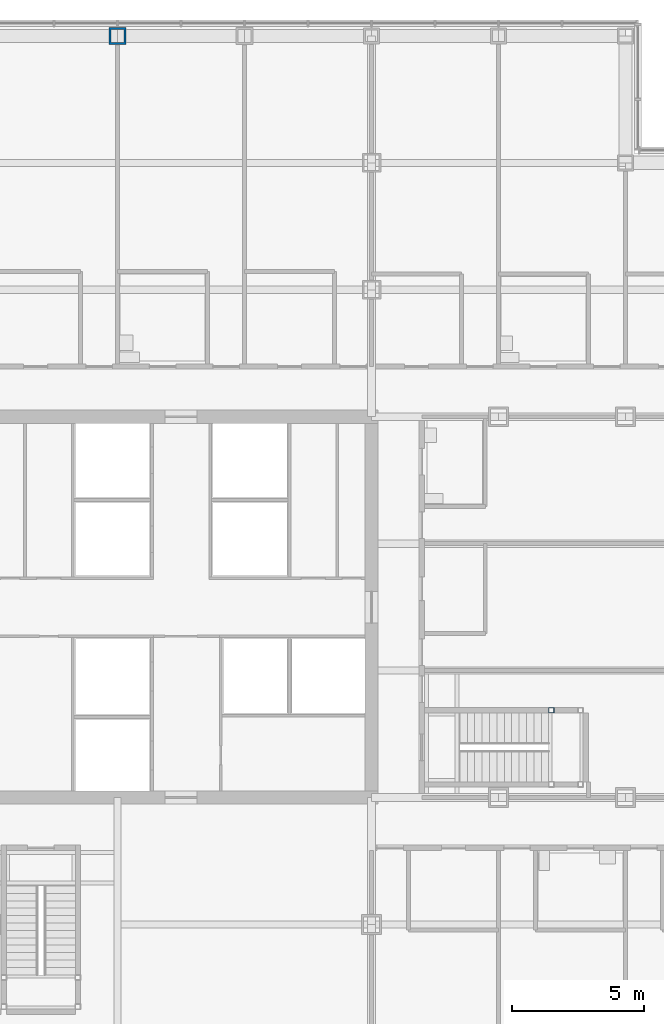
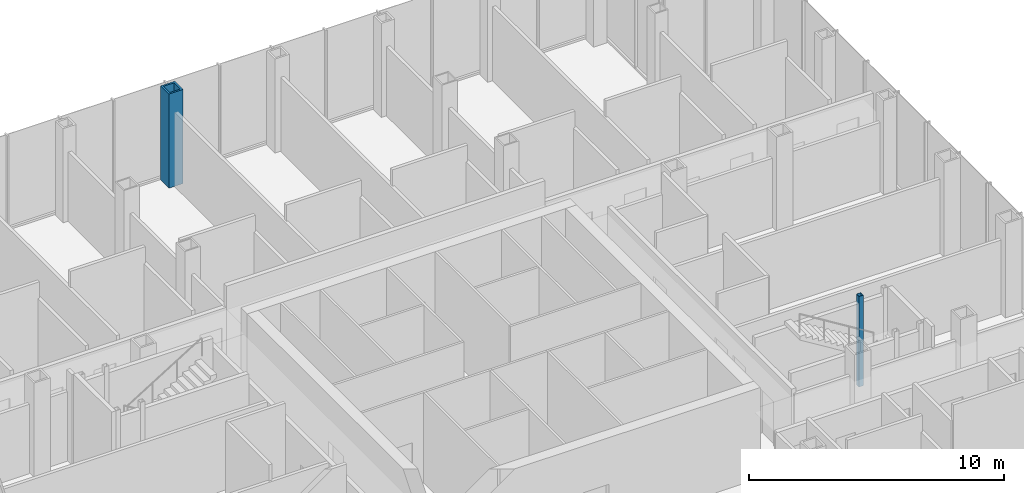
# One storey, part 8 of 25: 2 columns.
"""IFC4 building model written with IfcOpenShell, lengths in metres."""

import ifcopenshell
import ifcopenshell.guid

model = None  # the IFC model being written
_history = None  # IfcOwnerHistory: only IFC2X3 demands one
_inside = {}  # id of a spatial element -> (the spatial element, [elements in it])
_under = {}  # id of a project, library or spatial element -> (it, [spatial elements below it])
_declared = {}  # id of a project -> (the project, [libraries it declares])
_typed = {}  # id of a type object -> (the type object, [elements of that type])
_made_of = {}  # id of a material, layer set ... -> (it, [elements and type objects made of it])


def new_model(schema):
    """Start an empty IFC model of exactly this schema.

    Asked for "IFC4X3", IfcOpenShell would pick the latest addendum, in which some entities
    have other attributes; the version numbers below select the first issue.
    IFC2X3 requires an IfcOwnerHistory on every rooted entity: one is made here for all.
    """
    global model, _history
    if schema == "IFC4X3":
        model = ifcopenshell.file(schema_version=(4, 3, 0, 0))
    else:
        model = ifcopenshell.file(schema=schema)
    _inside.clear()
    _under.clear()
    _declared.clear()
    _typed.clear()
    _made_of.clear()
    _history = None
    if model.schema == "IFC2X3":
        org = make("IfcOrganization", Name="unknown")
        user = make(
            "IfcPersonAndOrganization",
            ThePerson=make("IfcPerson", FamilyName="unknown"),
            TheOrganization=org,
        )
        app = make(
            "IfcApplication",
            ApplicationDeveloper=org,
            Version="unknown",
            ApplicationFullName="unknown",
            ApplicationIdentifier="unknown",
        )
        _history = make(
            "IfcOwnerHistory",
            OwningUser=user,
            OwningApplication=app,
            ChangeAction="ADDED",
            CreationDate=0,
        )
    return model


def make(cls, **values):
    """One entity of the class cls with the attributes given. An attribute that is None is left unset."""
    return model.create_entity(
        cls, **{name: value for name, value in values.items() if value is not None}
    )


def rooted(cls, **values):
    """An entity with a GlobalId (a new one), such as an element, a storey or a relation."""
    return make(cls, GlobalId=ifcopenshell.guid.new(), OwnerHistory=_history, **values)


def si_unit(unit_type, name, prefix=None):
    """IfcSIUnit, for example si_unit("LENGTHUNIT", "METRE", prefix="MILLI")."""
    return make("IfcSIUnit", UnitType=unit_type, Prefix=prefix, Name=name)


def assignment(units):
    """IfcUnitAssignment: the units of a project."""
    return None if units is None else make("IfcUnitAssignment", Units=units)


def point(xyz):
    """IfcCartesianPoint."""
    return None if xyz is None else make("IfcCartesianPoint", Coordinates=xyz)


def direction(xyz):
    """IfcDirection."""
    return None if xyz is None else make("IfcDirection", DirectionRatios=xyz)


def frame(location, z_axis=None, x_axis=None):
    """IfcAxis2Placement3D, a coordinate frame: its origin and axes. An axis left out is left unset."""
    return make(
        "IfcAxis2Placement3D",
        Location=point(location),
        Axis=direction(z_axis),
        RefDirection=direction(x_axis),
    )


def frame_2d(location, x_axis=None):
    """IfcAxis2Placement2D, a coordinate frame in the plane: its origin and x axis."""
    return make(
        "IfcAxis2Placement2D", Location=point(location), RefDirection=direction(x_axis)
    )


def origin():
    """The frame at (0, 0, 0) with its axes left unset."""
    return frame((0.0, 0.0, 0.0))


def origin_2d():
    """The frame at (0, 0) in the plane with its x axis left unset."""
    return frame_2d((0.0, 0.0))


def place(relative_to, where):
    """IfcLocalPlacement: puts the frame where relative to a parent placement (None: the world)."""
    return make(
        "IfcLocalPlacement", PlacementRelTo=relative_to, RelativePlacement=where
    )


def context(
    kind, dimensions, precision=None, world=None, true_north=None, identifier=None
):
    """IfcGeometricRepresentationContext, for example the 3D "Model" context."""
    return make(
        "IfcGeometricRepresentationContext",
        ContextIdentifier=identifier,
        ContextType=kind,
        CoordinateSpaceDimension=dimensions,
        Precision=precision,
        WorldCoordinateSystem=world,
        TrueNorth=true_north,
    )


def subcontext(parent, identifier, kind, view, scale=None):
    """IfcGeometricRepresentationSubContext, for example "Body" below "Model"."""
    return make(
        "IfcGeometricRepresentationSubContext",
        ContextIdentifier=identifier,
        ContextType=kind,
        ParentContext=parent,
        TargetScale=scale,
        TargetView=view,
    )


def project(units=None, contexts=None):
    """IfcProject with its units and contexts."""
    return rooted(
        "IfcProject",
        Name="project",
        RepresentationContexts=contexts,
        UnitsInContext=assignment(units),
    )


def spatial(cls, under=None, at=None, **own):
    """A site, building, storey or space (cls), placed at a placement, below another one or the project."""
    s = rooted(cls, ObjectPlacement=at, **own)
    if under is not None:
        _under.setdefault(under.id(), (under, []))[1].append(s)
    return s


def profile(cls, at=None, kind="AREA", **sizes):
    """A parametric profile (cls). Its sizes go by their IFC names, for example OverallWidth=200.0."""
    return make(cls, ProfileType=kind, Position=at, **sizes)


def hollow_rectangle(**sizes):
    """IfcRectangleHollowProfileDef."""
    return profile("IfcRectangleHollowProfileDef", **sizes)


def extrude(swept, where, along, depth):
    """IfcExtrudedAreaSolid: the profile swept, set in the frame where, extruded along a direction by depth."""
    return make(
        "IfcExtrudedAreaSolid",
        SweptArea=swept,
        Position=where,
        ExtrudedDirection=direction(along),
        Depth=depth,
    )


def shape(context_of_items, identifier, shape_type, items):
    """IfcShapeRepresentation: the items that make up one representation, for example the "Body"."""
    return make(
        "IfcShapeRepresentation",
        ContextOfItems=context_of_items,
        RepresentationIdentifier=identifier,
        RepresentationType=shape_type,
        Items=items,
    )


def material(Name=None, Category=None):
    """IfcMaterial."""
    return make("IfcMaterial", Name=Name, Category=Category)


def material_profile(
    of_material, cross_section, Name=None, Category=None, Priority=None
):
    """IfcMaterialProfile: a cross section and its material."""
    return make(
        "IfcMaterialProfile",
        Name=Name,
        Material=of_material,
        Profile=cross_section,
        Priority=Priority,
        Category=Category,
    )


def profile_set(profiles, Name=None, composite=None):
    """IfcMaterialProfileSet."""
    return make(
        "IfcMaterialProfileSet",
        Name=Name,
        MaterialProfiles=profiles,
        CompositeProfile=composite,
    )


def made_of(thing, what):
    """Note that an element or type object is made of a material, layer set ...; save() writes the relation."""
    if what is not None:
        _made_of.setdefault(what.id(), (what, []))[1].append(thing)
    return thing


def type_object(cls, material=None, **own):
    """A type object (cls), such as IfcWallType, which elements share."""
    return made_of(rooted(cls, **own), material)


def element(
    cls,
    number,
    at=None,
    inside=None,
    cuts=None,
    type_object=None,
    material=None,
    context=None,
    identifier="Body",
    shape_type=None,
    held_by="IfcProductDefinitionShape",
    body=None,
    shapes=None,
    **own,
):
    """One element of the class cls, such as IfcWall. Its Tag is "e" and its number.

    at: its placement. inside: the storey or other place that contains it. cuts: it is an
    opening in that element (IfcRelVoidsElement). A single representation is given by context,
    identifier, shape_type and body (its items); several are given by shapes. held_by: the class
    of the entity that holds the representations. save() writes the other relations.
    """
    e = rooted(cls, Tag="e%d" % number, ObjectPlacement=at, **own)
    if body is not None:
        shapes = [shape(context, identifier, shape_type, body)]
    if shapes is not None:
        e.Representation = make(held_by, Representations=shapes)
    if inside is not None:
        _inside.setdefault(inside.id(), (inside, []))[1].append(e)
    if cuts is not None:
        rooted(
            "IfcRelVoidsElement", RelatingBuildingElement=cuts, RelatedOpeningElement=e
        )
    if type_object is not None:
        _typed.setdefault(type_object.id(), (type_object, []))[1].append(e)
    return made_of(e, material)


def aggregate(whole, parts):
    """IfcRelAggregates: a whole, such as a stair, and the parts it consists of."""
    return rooted("IfcRelAggregates", RelatingObject=whole, RelatedObjects=parts)


def save(model, path):
    """Write the relations noted so far, then the file.

    IfcRelAggregates (storeys below a building ...), IfcRelContainedInSpatialStructure (elements
    in a storey), IfcRelDefinesByType, IfcRelAssociatesMaterial and IfcRelDeclares: one each for
    every whole, place, type object, material and project.
    """
    for whole, parts in _under.values():
        aggregate(whole, parts)
    for where, things in _inside.values():
        rooted(
            "IfcRelContainedInSpatialStructure",
            RelatedElements=things,
            RelatingStructure=where,
        )
    for kind, things in _typed.values():
        rooted("IfcRelDefinesByType", RelatedObjects=things, RelatingType=kind)
    for what, things in _made_of.values():
        rooted("IfcRelAssociatesMaterial", RelatedObjects=things, RelatingMaterial=what)
    for by, libraries in _declared.values():
        rooted("IfcRelDeclares", RelatingContext=by, RelatedDefinitions=libraries)
    model.write(path)


model = new_model("IFC4")

# Units and contexts
model_context = context("Model", 3, precision=1e-05, world=origin(), true_north=direction((0.0, 1.0)))
body_context = subcontext(model_context, "Body", "Model", "MODEL_VIEW")
ifc_project = project(units=[si_unit("LENGTHUNIT", "METRE"), si_unit("AREAUNIT", "SQUARE_METRE"), si_unit("VOLUMEUNIT", "CUBIC_METRE"), si_unit("PLANEANGLEUNIT", "RADIAN"), si_unit("MASSUNIT", "GRAM", prefix="KILO")], contexts=[model_context])

# Site, building, storey
site_placement = place(None, origin())
site = spatial("IfcSite", under=ifc_project, at=site_placement, CompositionType="ELEMENT")
building_placement = place(site_placement, origin())
building = spatial("IfcBuilding", under=site, at=building_placement, Name="Kvirike Care Tower", CompositionType="ELEMENT")
storey_placement = place(building_placement, frame((0.0, 0.0, 13.5)))
storey = spatial("IfcBuildingStorey", under=building, at=storey_placement, Name="L03", CompositionType="ELEMENT", Elevation=13.5)

# Columns
ifc_material_1 = material(Name="Steel S460", Category="steel")
ifc_material_profile_1 = material_profile(ifc_material_1, hollow_rectangle(XDim=0.64990234375, YDim=0.64990234375, WallThickness=0.080078125, at=origin_2d()), Name="BX 650x650x80")
ifc_profile_set_1 = profile_set([ifc_material_profile_1], Name="Steel S460")
column_type_1 = type_object("IfcColumnType", Name="COLUMN BX 650x650x80", PredefinedType="COLUMN", material=ifc_profile_set_1)
column_1_placement = place(storey_placement, frame((19.199951171875, 57.60009765625, 0.0), z_axis=(0.0, 0.0, 1.0), x_axis=(0.0, 1.0, 0.0)))
element("IfcColumn", 1, at=column_1_placement, inside=storey, type_object=column_type_1, Name="Column N7 L03", PredefinedType="COLUMN", context=body_context, shape_type="SweptSolid", body=[
    extrude(hollow_rectangle(XDim=0.64990234375, YDim=0.64990234375, WallThickness=0.080078125, at=origin_2d()), origin(), (0.0, 0.0, 1.0), 4.5),
])
ifc_material_2 = material(Name="Steel S460", Category="steel")
ifc_material_profile_2 = material_profile(ifc_material_2, hollow_rectangle(XDim=0.199951171875, YDim=0.199951171875, WallThickness=0.008056640625, at=origin_2d()), Name="SHS 200x200x8")
ifc_profile_set_2 = profile_set([ifc_material_profile_2], Name="Steel S460")
column_type_2 = type_object("IfcColumnType", Name="STAIR POST SHS 200x200x8", PredefinedType="COLUMN", material=ifc_profile_set_2)
column_2_placement = place(storey_placement, frame((35.60009765625, 32.10009765625, 0.0), z_axis=(0.0, 0.0, 1.0), x_axis=(1.0, 0.0, 0.0)))
element("IfcColumn", 2, at=column_2_placement, inside=storey, type_object=column_type_2, Name="Stair 2 post 4 L03", PredefinedType="COLUMN", context=body_context, shape_type="SweptSolid", body=[
    extrude(hollow_rectangle(XDim=0.199951171875, YDim=0.199951171875, WallThickness=0.008056640625, at=origin_2d()), origin(), (0.0, 0.0, 1.0), 4.330078125),
])

save(model, "model.ifc")
